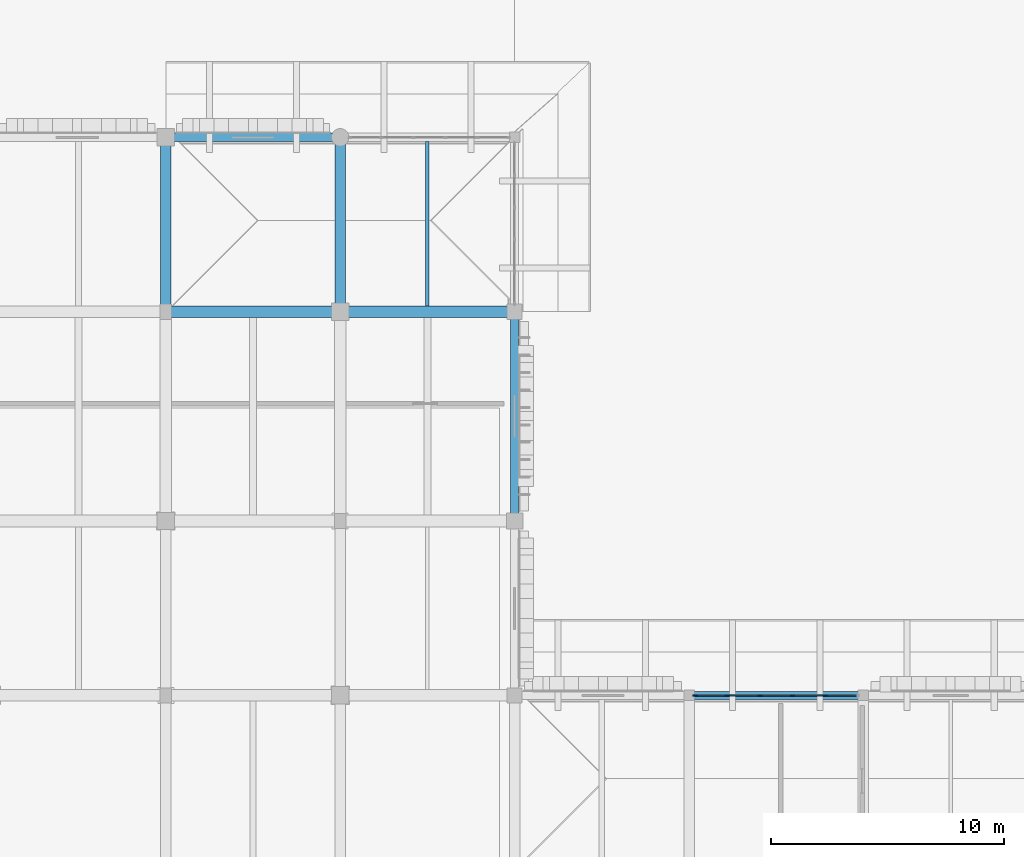
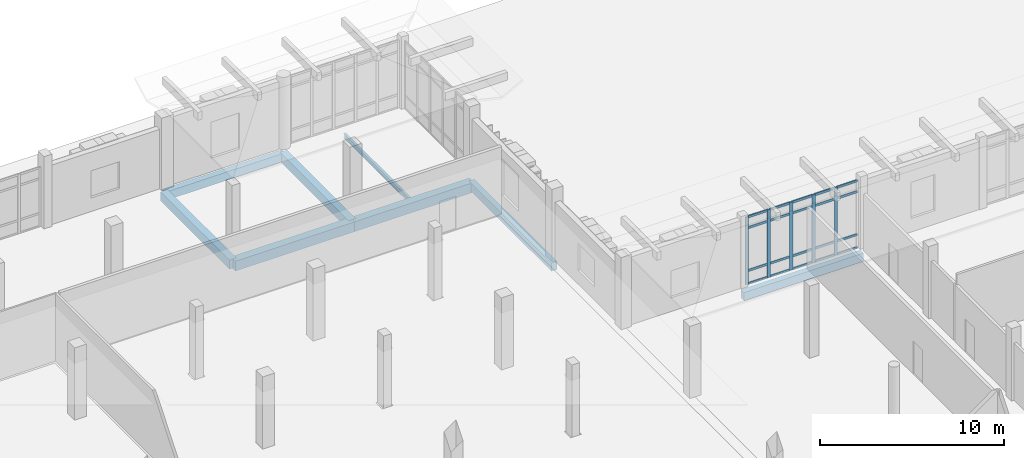
# One storey, part 67 of 125: 25 members, 8 beams, 1 element without a shape of its own.
"""IFC4 building model written with IfcOpenShell, lengths in metres."""

from ifc_helpers import new_model, si_unit, direction, frame, origin, origin_2d, place, context, subcontext, project, spatial, rectangle, i_section, extrude, material, layer, layer_set, material_profile, profile_set, type_object, element, aggregate, save


model = new_model("IFC4")

# Units and contexts
model_context = context("Model", 3, precision=1e-05, world=origin(), true_north=direction((0.0, 1.0)))
body_context = subcontext(model_context, "Body", "Model", "MODEL_VIEW")
ifc_project = project(units=[si_unit("LENGTHUNIT", "METRE"), si_unit("AREAUNIT", "SQUARE_METRE"), si_unit("VOLUMEUNIT", "CUBIC_METRE"), si_unit("PLANEANGLEUNIT", "RADIAN"), si_unit("MASSUNIT", "GRAM", prefix="KILO")], contexts=[model_context])

# Site, building, storey
site_placement = place(None, origin())
site = spatial("IfcSite", under=ifc_project, at=site_placement, CompositionType="ELEMENT")
building_placement = place(site_placement, origin())
building = spatial("IfcBuilding", under=site, at=building_placement, Name="Dalvernix Boulevard General Hospital", CompositionType="ELEMENT")
storey_placement = place(building_placement, origin())
storey = spatial("IfcBuildingStorey", under=building, at=storey_placement, Name="L00", CompositionType="ELEMENT", Elevation=0.0)

# Beams
ifc_material_1 = material(Name="Concrete C35/45", Category="concrete")
ifc_material_profile_1 = material_profile(ifc_material_1, rectangle(XDim=0.5, YDim=0.64990234375, at=origin_2d()), Name="RCB 500x650")
ifc_profile_set_1 = profile_set([ifc_material_profile_1], Name="Concrete C35/45")
beam_type_1 = type_object("IfcBeamType", Name="BM-B-02-I", PredefinedType="BEAM", material=ifc_profile_set_1)
for number, where, z_axis, x_axis, name in (
    (1, (127.5, 109.5, -0.68505859375), (1.0, 0.0, 0.0), (0.0, 1.0, 0.0), "L00 E-W girder Q:18-19"),
    (2, (135.0, 109.5, -0.68505859375), (1.0, 0.0, 0.0), (0.0, 1.0, 0.0), "L00 E-W girder Q:19-20"),
):
    element("IfcBeam", number, at=place(storey_placement, frame(where, z_axis=z_axis, x_axis=x_axis)), inside=storey, type_object=beam_type_1, Name=name, PredefinedType="BEAM", context=body_context, shape_type="SweptSolid", body=[
        extrude(rectangle(XDim=0.5, YDim=0.64990234375, at=origin_2d()), origin(), (0.0, 0.0, 1.0), 7.5),
    ])
ifc_material_profile_2 = material_profile(ifc_material_1, rectangle(XDim=0.449951171875, YDim=0.60009765625, at=origin_2d()), Name="RCB 450x600")
ifc_profile_set_2 = profile_set([ifc_material_profile_2], Name="Concrete C35/45")
beam_type_2 = type_object("IfcBeamType", Name="BM-B-04-I", PredefinedType="BEAM", material=ifc_profile_set_2)
for number, where, z_axis, x_axis, name in (
    (3, (127.5, 109.5, -0.659912109375), (0.0, 1.0, 0.0), (-1.0, 0.0, 0.0), "L00 N-S girder 18:Q-R"),
    (4, (135.0, 109.5, -0.659912109375), (0.0, 1.0, 0.0), (-1.0, 0.0, 0.0), "L00 N-S girder 19:Q-R"),
):
    element("IfcBeam", number, at=place(storey_placement, frame(where, z_axis=z_axis, x_axis=x_axis)), inside=storey, type_object=beam_type_2, Name=name, PredefinedType="BEAM", context=body_context, shape_type="SweptSolid", body=[
        extrude(rectangle(XDim=0.449951171875, YDim=0.60009765625, at=origin_2d()), origin(), (0.0, 0.0, 1.0), 7.5),
    ])
ifc_material_2 = material(Name="Steel S355", Category="steel")
ifc_material_profile_3 = material_profile(ifc_material_2, i_section(OverallWidth=0.14990234375, OverallDepth=0.300048828125, WebThickness=0.007080078125, FlangeThickness=0.0107421875, FilletRadius=0.014892578125, at=origin_2d()), Name="IPE 300")
ifc_profile_set_3 = profile_set([ifc_material_profile_3], Name="Steel S355")
beam_type_3 = type_object("IfcBeamType", Name="BM-JB-03", PredefinedType="JOIST", material=ifc_profile_set_3)
beam_1_placement = place(storey_placement, frame((138.75, 109.75, -0.510009765625), z_axis=(0.0, 1.0, 0.0), x_axis=(-1.0, 0.0, 0.0)))
element("IfcBeam", 5, at=beam_1_placement, inside=storey, type_object=beam_type_3, Name="L00 secondary floor beam 19-Q", PredefinedType="JOIST", context=body_context, shape_type="SweptSolid", body=[
    extrude(i_section(OverallWidth=0.14990234375, OverallDepth=0.300048828125, WebThickness=0.007080078125, FlangeThickness=0.0107421875, FilletRadius=0.014892578125, at=origin_2d()), origin(), (0.0, 0.0, 1.0), 7.074951171875),
])
ifc_material_profile_4 = material_profile(ifc_material_1, rectangle(XDim=0.35009765625, YDim=0.550048828125, at=origin_2d()), Name="RCB 350x550")
ifc_profile_set_4 = profile_set([ifc_material_profile_4], Name="Concrete C35/45")
beam_type_4 = type_object("IfcBeamType", Name="BM-SB-01-E", PredefinedType="SPANDREL", material=ifc_profile_set_4)
for number, where, z_axis, x_axis, name in (
    (6, (150.0, 93.0, -0.635009765625), (1.0, 0.0, 0.0), (0.0, 1.0, 0.0), "L00 E-W girder N:21-22"),
    (7, (127.5, 117.0, -0.635009765625), (1.0, 0.0, 0.0), (0.0, 1.0, 0.0), "L00 E-W girder R:18-19"),
):
    element("IfcBeam", number, at=place(storey_placement, frame(where, z_axis=z_axis, x_axis=x_axis)), inside=storey, type_object=beam_type_4, Name=name, PredefinedType="SPANDREL", context=body_context, shape_type="SweptSolid", body=[
        extrude(rectangle(XDim=0.35009765625, YDim=0.550048828125, at=origin_2d()), origin(), (0.0, 0.0, 1.0), 7.5),
    ])
beam_2_placement = place(storey_placement, frame((142.5, 100.5, -0.635009765625), z_axis=(0.0, 1.0, 0.0), x_axis=(-1.0, 0.0, 0.0)))
element("IfcBeam", 8, at=beam_2_placement, inside=storey, type_object=beam_type_4, Name="L00 N-S girder 20:P-Q", PredefinedType="SPANDREL", context=body_context, shape_type="SweptSolid", body=[
    extrude(rectangle(XDim=0.35009765625, YDim=0.550048828125, at=origin_2d()), origin(), (0.0, 0.0, 1.0), 9.0),
])

# Curtain wall, members
ifc_material_3 = material(Name="Thermally broken aluminium and solar-control glass curtain wall", Category="aluminium")
ifc_layer = layer(ifc_material_3, 0.199951171875)
ifc_layer_set = layer_set([ifc_layer], Name="Thermally broken aluminium and solar-control glass curtain wall (CW-CW-C-70x45)")
curtain_wall_type = type_object("IfcCurtainWallType", Name="CW-CW-C-70x45", PredefinedType="USERDEFINED", material=ifc_layer_set)
curtain_wall_placement = place(storey_placement, origin())
curtain_wall = element("IfcCurtainWall", 9, at=curtain_wall_placement, inside=storey, type_object=curtain_wall_type, Name="L00 curtain wall CW-C-70x45 20-12", ObjectType="GLAZED FACADE", PredefinedType="USERDEFINED")
ifc_material_4 = material(Name="Aluminium EN AW-6060", Category="aluminium")
ifc_material_profile_5 = material_profile(ifc_material_4, rectangle(XDim=0.070068359375, YDim=0.199951171875, at=origin_2d()), Name="ALU MULL 70x200")
ifc_profile_set_5 = profile_set([ifc_material_profile_5], Name="Aluminium EN AW-6060")
member_type_1 = type_object("IfcMemberType", Name="MEM-CW-M3", PredefinedType="MULLION", material=ifc_profile_set_5)
member_1_placement = place(storey_placement, frame((150.27001953125, 93.0, 0.0), z_axis=(0.0, 0.0, 1.0), x_axis=(0.0, 1.0, 0.0)))
member_1 = element("IfcMember", 10, at=member_1_placement, type_object=member_type_1, Name="CW-C-70x45 mullion 1", PredefinedType="MULLION", context=body_context, shape_type="SweptSolid", body=[
    extrude(rectangle(XDim=0.070068359375, YDim=0.199951171875, at=origin_2d()), origin(), (0.0, 0.0, 1.0), 4.5),
])
member_2_placement = place(storey_placement, frame((151.64111328125, 93.0, 0.0), z_axis=(0.0, 0.0, 1.0), x_axis=(0.0, 1.0, 0.0)))
member_2 = element("IfcMember", 11, at=member_2_placement, type_object=member_type_1, Name="CW-C-70x45 mullion 2", PredefinedType="MULLION", context=body_context, shape_type="SweptSolid", body=[
    extrude(rectangle(XDim=0.070068359375, YDim=0.199951171875, at=origin_2d()), origin(), (0.0, 0.0, 1.0), 4.5),
])
member_3_placement = place(storey_placement, frame((153.047119140625, 93.0, 0.0), z_axis=(0.0, 0.0, 1.0), x_axis=(0.0, 1.0, 0.0)))
member_3 = element("IfcMember", 12, at=member_3_placement, type_object=member_type_1, Name="CW-C-70x45 mullion 3", PredefinedType="MULLION", context=body_context, shape_type="SweptSolid", body=[
    extrude(rectangle(XDim=0.070068359375, YDim=0.199951171875, at=origin_2d()), origin(), (0.0, 0.0, 1.0), 4.5),
])
member_4_placement = place(storey_placement, frame((154.452880859375, 93.0, 0.0), z_axis=(0.0, 0.0, 1.0), x_axis=(0.0, 1.0, 0.0)))
member_4 = element("IfcMember", 13, at=member_4_placement, type_object=member_type_1, Name="CW-C-70x45 mullion 4", PredefinedType="MULLION", context=body_context, shape_type="SweptSolid", body=[
    extrude(rectangle(XDim=0.070068359375, YDim=0.199951171875, at=origin_2d()), origin(), (0.0, 0.0, 1.0), 4.5),
])
member_5_placement = place(storey_placement, frame((155.85888671875, 93.0, 0.0), z_axis=(0.0, 0.0, 1.0), x_axis=(0.0, 1.0, 0.0)))
member_5 = element("IfcMember", 14, at=member_5_placement, type_object=member_type_1, Name="CW-C-70x45 mullion 5", PredefinedType="MULLION", context=body_context, shape_type="SweptSolid", body=[
    extrude(rectangle(XDim=0.070068359375, YDim=0.199951171875, at=origin_2d()), origin(), (0.0, 0.0, 1.0), 4.5),
])
ifc_material_profile_6 = material_profile(ifc_material_4, rectangle(XDim=0.070068359375, YDim=0.14990234375, at=origin_2d()), Name="ALU TRAN 70x150")
ifc_profile_set_6 = profile_set([ifc_material_profile_6], Name="Aluminium EN AW-6060")
member_type_2 = type_object("IfcMemberType", Name="MEM-CW-T3", PredefinedType="USERDEFINED", material=ifc_profile_set_6)
member_6_placement = place(storey_placement, frame((150.304931640625, 93.0, 0.034912109375), z_axis=(1.0, 0.0, 0.0), x_axis=(0.0, 1.0, 0.0)))
member_6 = element("IfcMember", 15, at=member_6_placement, type_object=member_type_2, Name="CW-C-70x45 transom 1.1", ObjectType="TRANSOM", PredefinedType="USERDEFINED", context=body_context, shape_type="SweptSolid", body=[
    extrude(rectangle(XDim=0.070068359375, YDim=0.14990234375, at=origin_2d()), origin(), (0.0, 0.0, 1.0), 1.301025390625),
])
member_7_placement = place(storey_placement, frame((150.304931640625, 93.0, 0.89990234375), z_axis=(1.0, 0.0, 0.0), x_axis=(0.0, 1.0, 0.0)))
member_7 = element("IfcMember", 16, at=member_7_placement, type_object=member_type_2, Name="CW-C-70x45 transom 1.2", ObjectType="TRANSOM", PredefinedType="USERDEFINED", context=body_context, shape_type="SweptSolid", body=[
    extrude(rectangle(XDim=0.070068359375, YDim=0.14990234375, at=origin_2d()), origin(), (0.0, 0.0, 1.0), 1.301025390625),
])
member_8_placement = place(storey_placement, frame((150.304931640625, 93.0, 3.75), z_axis=(1.0, 0.0, 0.0), x_axis=(0.0, 1.0, 0.0)))
member_8 = element("IfcMember", 17, at=member_8_placement, type_object=member_type_2, Name="CW-C-70x45 transom 1.3", ObjectType="TRANSOM", PredefinedType="USERDEFINED", context=body_context, shape_type="SweptSolid", body=[
    extrude(rectangle(XDim=0.070068359375, YDim=0.14990234375, at=origin_2d()), origin(), (0.0, 0.0, 1.0), 1.301025390625),
])
member_9_placement = place(storey_placement, frame((150.304931640625, 93.0, 4.465087890625), z_axis=(1.0, 0.0, 0.0), x_axis=(0.0, 1.0, 0.0)))
member_9 = element("IfcMember", 18, at=member_9_placement, type_object=member_type_2, Name="CW-C-70x45 transom 1.4", ObjectType="TRANSOM", PredefinedType="USERDEFINED", context=body_context, shape_type="SweptSolid", body=[
    extrude(rectangle(XDim=0.070068359375, YDim=0.14990234375, at=origin_2d()), origin(), (0.0, 0.0, 1.0), 1.301025390625),
])
member_10_placement = place(storey_placement, frame((151.676025390625, 93.0, 0.034912109375), z_axis=(1.0, 0.0, 0.0), x_axis=(0.0, 1.0, 0.0)))
member_10 = element("IfcMember", 19, at=member_10_placement, type_object=member_type_2, Name="CW-C-70x45 transom 2.1", ObjectType="TRANSOM", PredefinedType="USERDEFINED", context=body_context, shape_type="SweptSolid", body=[
    extrude(rectangle(XDim=0.070068359375, YDim=0.14990234375, at=origin_2d()), origin(), (0.0, 0.0, 1.0), 1.3359375),
])
member_11_placement = place(storey_placement, frame((151.676025390625, 93.0, 0.89990234375), z_axis=(1.0, 0.0, 0.0), x_axis=(0.0, 1.0, 0.0)))
member_11 = element("IfcMember", 20, at=member_11_placement, type_object=member_type_2, Name="CW-C-70x45 transom 2.2", ObjectType="TRANSOM", PredefinedType="USERDEFINED", context=body_context, shape_type="SweptSolid", body=[
    extrude(rectangle(XDim=0.070068359375, YDim=0.14990234375, at=origin_2d()), origin(), (0.0, 0.0, 1.0), 1.3359375),
])
member_12_placement = place(storey_placement, frame((151.676025390625, 93.0, 3.75), z_axis=(1.0, 0.0, 0.0), x_axis=(0.0, 1.0, 0.0)))
member_12 = element("IfcMember", 21, at=member_12_placement, type_object=member_type_2, Name="CW-C-70x45 transom 2.3", ObjectType="TRANSOM", PredefinedType="USERDEFINED", context=body_context, shape_type="SweptSolid", body=[
    extrude(rectangle(XDim=0.070068359375, YDim=0.14990234375, at=origin_2d()), origin(), (0.0, 0.0, 1.0), 1.3359375),
])
member_13_placement = place(storey_placement, frame((151.676025390625, 93.0, 4.465087890625), z_axis=(1.0, 0.0, 0.0), x_axis=(0.0, 1.0, 0.0)))
member_13 = element("IfcMember", 22, at=member_13_placement, type_object=member_type_2, Name="CW-C-70x45 transom 2.4", ObjectType="TRANSOM", PredefinedType="USERDEFINED", context=body_context, shape_type="SweptSolid", body=[
    extrude(rectangle(XDim=0.070068359375, YDim=0.14990234375, at=origin_2d()), origin(), (0.0, 0.0, 1.0), 1.3359375),
])
member_14_placement = place(storey_placement, frame((153.08203125, 93.0, 0.034912109375), z_axis=(1.0, 0.0, 0.0), x_axis=(0.0, 1.0, 0.0)))
member_14 = element("IfcMember", 23, at=member_14_placement, type_object=member_type_2, Name="CW-C-70x45 transom 3.1", ObjectType="TRANSOM", PredefinedType="USERDEFINED", context=body_context, shape_type="SweptSolid", body=[
    extrude(rectangle(XDim=0.070068359375, YDim=0.14990234375, at=origin_2d()), origin(), (0.0, 0.0, 1.0), 1.3359375),
])
member_15_placement = place(storey_placement, frame((153.08203125, 93.0, 0.89990234375), z_axis=(1.0, 0.0, 0.0), x_axis=(0.0, 1.0, 0.0)))
member_15 = element("IfcMember", 24, at=member_15_placement, type_object=member_type_2, Name="CW-C-70x45 transom 3.2", ObjectType="TRANSOM", PredefinedType="USERDEFINED", context=body_context, shape_type="SweptSolid", body=[
    extrude(rectangle(XDim=0.070068359375, YDim=0.14990234375, at=origin_2d()), origin(), (0.0, 0.0, 1.0), 1.3359375),
])
member_16_placement = place(storey_placement, frame((153.08203125, 93.0, 3.75), z_axis=(1.0, 0.0, 0.0), x_axis=(0.0, 1.0, 0.0)))
member_16 = element("IfcMember", 25, at=member_16_placement, type_object=member_type_2, Name="CW-C-70x45 transom 3.3", ObjectType="TRANSOM", PredefinedType="USERDEFINED", context=body_context, shape_type="SweptSolid", body=[
    extrude(rectangle(XDim=0.070068359375, YDim=0.14990234375, at=origin_2d()), origin(), (0.0, 0.0, 1.0), 1.3359375),
])
member_17_placement = place(storey_placement, frame((153.08203125, 93.0, 4.465087890625), z_axis=(1.0, 0.0, 0.0), x_axis=(0.0, 1.0, 0.0)))
member_17 = element("IfcMember", 26, at=member_17_placement, type_object=member_type_2, Name="CW-C-70x45 transom 3.4", ObjectType="TRANSOM", PredefinedType="USERDEFINED", context=body_context, shape_type="SweptSolid", body=[
    extrude(rectangle(XDim=0.070068359375, YDim=0.14990234375, at=origin_2d()), origin(), (0.0, 0.0, 1.0), 1.3359375),
])
member_18_placement = place(storey_placement, frame((154.488037109375, 93.0, 0.034912109375), z_axis=(1.0, 0.0, 0.0), x_axis=(0.0, 1.0, 0.0)))
member_18 = element("IfcMember", 27, at=member_18_placement, type_object=member_type_2, Name="CW-C-70x45 transom 4.1", ObjectType="TRANSOM", PredefinedType="USERDEFINED", context=body_context, shape_type="SweptSolid", body=[
    extrude(rectangle(XDim=0.070068359375, YDim=0.14990234375, at=origin_2d()), origin(), (0.0, 0.0, 1.0), 1.3359375),
])
member_19_placement = place(storey_placement, frame((154.488037109375, 93.0, 0.89990234375), z_axis=(1.0, 0.0, 0.0), x_axis=(0.0, 1.0, 0.0)))
member_19 = element("IfcMember", 28, at=member_19_placement, type_object=member_type_2, Name="CW-C-70x45 transom 4.2", ObjectType="TRANSOM", PredefinedType="USERDEFINED", context=body_context, shape_type="SweptSolid", body=[
    extrude(rectangle(XDim=0.070068359375, YDim=0.14990234375, at=origin_2d()), origin(), (0.0, 0.0, 1.0), 1.3359375),
])
member_20_placement = place(storey_placement, frame((154.488037109375, 93.0, 3.75), z_axis=(1.0, 0.0, 0.0), x_axis=(0.0, 1.0, 0.0)))
member_20 = element("IfcMember", 29, at=member_20_placement, type_object=member_type_2, Name="CW-C-70x45 transom 4.3", ObjectType="TRANSOM", PredefinedType="USERDEFINED", context=body_context, shape_type="SweptSolid", body=[
    extrude(rectangle(XDim=0.070068359375, YDim=0.14990234375, at=origin_2d()), origin(), (0.0, 0.0, 1.0), 1.3359375),
])
member_21_placement = place(storey_placement, frame((154.488037109375, 93.0, 4.465087890625), z_axis=(1.0, 0.0, 0.0), x_axis=(0.0, 1.0, 0.0)))
member_21 = element("IfcMember", 30, at=member_21_placement, type_object=member_type_2, Name="CW-C-70x45 transom 4.4", ObjectType="TRANSOM", PredefinedType="USERDEFINED", context=body_context, shape_type="SweptSolid", body=[
    extrude(rectangle(XDim=0.070068359375, YDim=0.14990234375, at=origin_2d()), origin(), (0.0, 0.0, 1.0), 1.3359375),
])
member_22_placement = place(storey_placement, frame((155.89404296875, 93.0, 0.034912109375), z_axis=(1.0, 0.0, 0.0), x_axis=(0.0, 1.0, 0.0)))
member_22 = element("IfcMember", 31, at=member_22_placement, type_object=member_type_2, Name="CW-C-70x45 transom 5.1", ObjectType="TRANSOM", PredefinedType="USERDEFINED", context=body_context, shape_type="SweptSolid", body=[
    extrude(rectangle(XDim=0.070068359375, YDim=0.14990234375, at=origin_2d()), origin(), (0.0, 0.0, 1.0), 1.301025390625),
])
member_23_placement = place(storey_placement, frame((155.89404296875, 93.0, 0.89990234375), z_axis=(1.0, 0.0, 0.0), x_axis=(0.0, 1.0, 0.0)))
member_23 = element("IfcMember", 32, at=member_23_placement, type_object=member_type_2, Name="CW-C-70x45 transom 5.2", ObjectType="TRANSOM", PredefinedType="USERDEFINED", context=body_context, shape_type="SweptSolid", body=[
    extrude(rectangle(XDim=0.070068359375, YDim=0.14990234375, at=origin_2d()), origin(), (0.0, 0.0, 1.0), 1.301025390625),
])
member_24_placement = place(storey_placement, frame((155.89404296875, 93.0, 3.75), z_axis=(1.0, 0.0, 0.0), x_axis=(0.0, 1.0, 0.0)))
member_24 = element("IfcMember", 33, at=member_24_placement, type_object=member_type_2, Name="CW-C-70x45 transom 5.3", ObjectType="TRANSOM", PredefinedType="USERDEFINED", context=body_context, shape_type="SweptSolid", body=[
    extrude(rectangle(XDim=0.070068359375, YDim=0.14990234375, at=origin_2d()), origin(), (0.0, 0.0, 1.0), 1.301025390625),
])
member_25_placement = place(storey_placement, frame((155.89404296875, 93.0, 4.465087890625), z_axis=(1.0, 0.0, 0.0), x_axis=(0.0, 1.0, 0.0)))
member_25 = element("IfcMember", 34, at=member_25_placement, type_object=member_type_2, Name="CW-C-70x45 transom 5.4", ObjectType="TRANSOM", PredefinedType="USERDEFINED", context=body_context, shape_type="SweptSolid", body=[
    extrude(rectangle(XDim=0.070068359375, YDim=0.14990234375, at=origin_2d()), origin(), (0.0, 0.0, 1.0), 1.301025390625),
])
aggregate(curtain_wall, [member_1, member_2, member_3, member_4, member_5, member_6, member_7, member_8, member_9, member_10, member_11, member_12, member_13, member_14, member_15, member_16, member_17, member_18, member_19, member_20, member_21, member_22, member_23, member_24, member_25])

save(model, "model.ifc")
